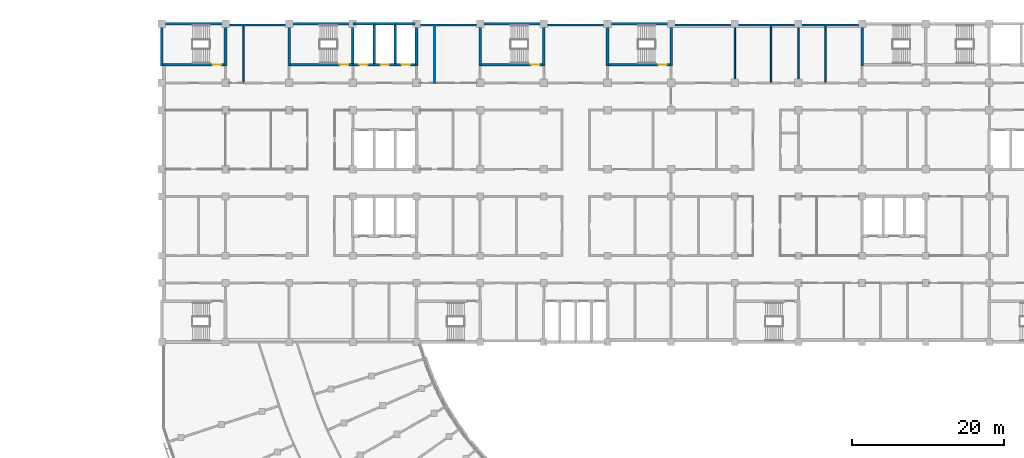
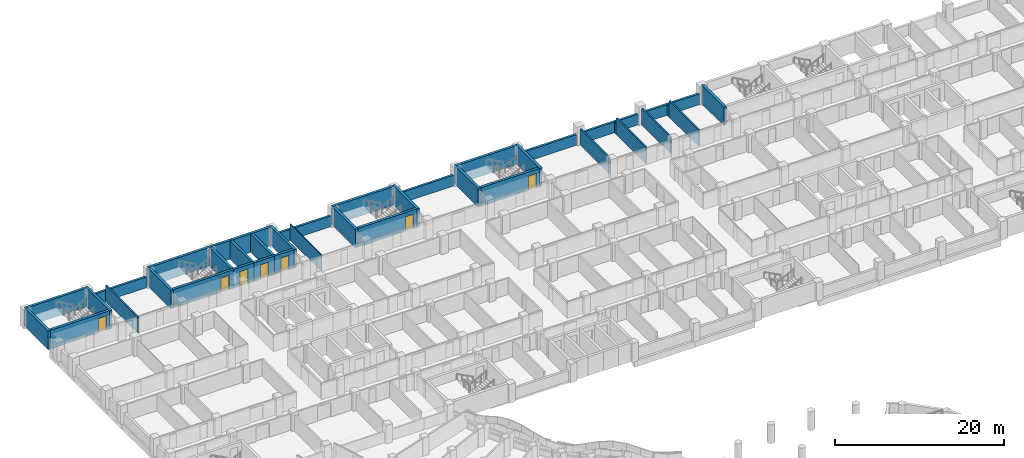
# One storey, part 61 of 89: 40 walls, 7 doors, 7 openings.
"""IFC4 building model written with IfcOpenShell, lengths in metres."""

from ifc_helpers import new_model, si_unit, direction, frame, frame_2d, origin, place, context, subcontext, project, spatial, rectangle, extrude, material, layer, layer_set, type_object, element, fill, save


model = new_model("IFC4")

# Units and contexts
model_context = context("Model", 3, precision=1e-05, world=origin(), true_north=direction((0.0, 1.0)))
body_context = subcontext(model_context, "Body", "Model", "MODEL_VIEW")
ifc_project = project(units=[si_unit("LENGTHUNIT", "METRE"), si_unit("AREAUNIT", "SQUARE_METRE"), si_unit("VOLUMEUNIT", "CUBIC_METRE"), si_unit("PLANEANGLEUNIT", "RADIAN"), si_unit("MASSUNIT", "GRAM", prefix="KILO")], contexts=[model_context])

# Site, building, storey
site_placement = place(None, origin())
site = spatial("IfcSite", under=ifc_project, at=site_placement, CompositionType="ELEMENT")
building_placement = place(site_placement, origin())
building = spatial("IfcBuilding", under=site, at=building_placement, Name="Bougainvillea Quay General Hospital", CompositionType="ELEMENT")
storey_placement = place(building_placement, frame((0.0, 0.0, 9.89990234375)))
storey = spatial("IfcBuildingStorey", under=building, at=storey_placement, Name="L01M", CompositionType="ELEMENT", Elevation=9.89990234375)

# Walls
ifc_material_1 = material(Name="Pale stone rainscreen cladding on insulated masonry backing, pale stone", Category="masonry")
ifc_layer_1 = layer(ifc_material_1, 0.300048828125)
ifc_layer_set_1 = layer_set([ifc_layer_1], Name="Pale stone rainscreen cladding on insulated masonry backing, pale stone")
wall_type_1 = type_object("IfcWallType", Name="External wall pale stone rainscreen 300", PredefinedType="STANDARD", material=ifc_layer_set_1)
for number, where, z_axis, x_axis, name in (
    (1, (133.949951171875, 159.449951171875, 0.0), (0.0, 0.0, 1.0), (-1.0, 0.0, 0.0), "External wall wall/V4/L01M/p0/05a"),
    (2, (125.550048828125, 159.449951171875, 0.0), (0.0, 0.0, 1.0), (-1.0, 0.0, 0.0), "External wall wall/V4/L01M/p0/05b"),
    (3, (117.14990234375, 159.449951171875, 0.0), (0.0, 0.0, 1.0), (-1.0, 0.0, 0.0), "External wall wall/V4/L01M/p0/05c"),
    (4, (100.35009765625, 159.449951171875, 0.0), (0.0, 0.0, 1.0), (-1.0, 0.0, 0.0), "External wall wall/V4/L01M/p0/05d"),
    (5, (83.550048828125, 159.449951171875, 0.0), (0.0, 0.0, 1.0), (-1.0, 0.0, 0.0), "External wall wall/V4/L01M/p0/05e"),
    (6, (58.35009765625, 159.449951171875, 0.0), (0.0, 0.0, 1.0), (-1.0, 0.0, 0.0), "External wall wall/V4/L01M/p0/09a"),
):
    element("IfcWall", number, at=place(storey_placement, frame(where, z_axis=z_axis, x_axis=x_axis)), inside=storey, type_object=wall_type_1, Name=name, PredefinedType="STANDARD", context=body_context, shape_type="SweptSolid", body=[
        extrude(rectangle(XDim=7.5, YDim=0.300048828125, at=frame_2d((3.75, 0.0))), origin(), (0.0, 0.0, 1.0), 1.550048828125),
    ])
ifc_material_2 = material(Name="Gypsum board partition on steel studs", Category="steel")
ifc_layer_2 = layer(ifc_material_2, 0.10009765625)
ifc_layer_set_2 = layer_set([ifc_layer_2], Name="Gypsum board partition on steel studs")
wall_type_2 = type_object("IfcWallType", Name="Partition 100 Gypsum board partition", PredefinedType="PARTITIONING", material=ifc_layer_set_2)
wall_1_placement = place(storey_placement, frame((77.998046875, 151.85009765625, 0.0), z_axis=(0.0, 0.0, 1.0), x_axis=(0.0, 1.0, 0.0)))
element("IfcWall", 7, at=wall_1_placement, inside=storey, type_object=wall_type_2, Name="Partition 100 mm", PredefinedType="PARTITIONING", context=body_context, shape_type="SweptSolid", body=[
    extrude(rectangle(XDim=7.449951171875, YDim=0.10009765625, at=frame_2d((3.72509765625, 0.0))), origin(), (0.0, 0.0, 1.0), 2.35009765625),
])
ifc_material_3 = material(Name="Fire-rated autoclaved aerated block wall, plastered")
ifc_layer_3 = layer(ifc_material_3, 0.199951171875)
ifc_layer_set_3 = layer_set([ifc_layer_3], Name="Fire-rated autoclaved aerated block wall, plastered")
wall_type_3 = type_object("IfcWallType", Name="Partition 200 Fire-rated autoclaved aerated block wall EI 120", PredefinedType="SOLIDWALL", material=ifc_layer_set_3)
wall_2_placement = place(storey_placement, frame((117.597900390625, 152.25, 0.0), z_axis=(0.0, 0.0, 1.0), x_axis=(0.0, 1.0, 0.0)))
element("IfcWall", 8, at=wall_2_placement, inside=storey, type_object=wall_type_3, Name="Partition 200 mm EI 120", PredefinedType="SOLIDWALL", context=body_context, shape_type="SweptSolid", body=[
    extrude(rectangle(XDim=6.89990234375, YDim=0.199951171875, at=frame_2d((3.449951171875, 0.0))), origin(), (0.0, 0.0, 1.0), 2.35009765625),
])
wall_3_placement = place(storey_placement, frame((122.39794921875, 151.89990234375, 0.0), z_axis=(0.0, 0.0, 1.0), x_axis=(0.0, 1.0, 0.0)))
element("IfcWall", 9, at=wall_3_placement, inside=storey, type_object=wall_type_3, Name="Partition 200 mm EI 120", PredefinedType="SOLIDWALL", context=body_context, shape_type="SweptSolid", body=[
    extrude(rectangle(XDim=7.0, YDim=0.199951171875, at=frame_2d((3.5, 0.0))), origin(), (0.0, 0.0, 1.0), 2.35009765625),
])
wall_4_placement = place(storey_placement, frame((122.39794921875, 158.89990234375, 0.0), z_axis=(0.0, 0.0, 1.0), x_axis=(0.0, 1.0, 0.0)))
element("IfcWall", 10, at=wall_4_placement, inside=storey, type_object=wall_type_3, Name="Partition 200 mm EI 120", PredefinedType="SOLIDWALL", context=body_context, shape_type="SweptSolid", body=[
    extrude(rectangle(XDim=0.400146484375, YDim=0.199951171875, at=frame_2d((0.2001953125, 0.0))), origin(), (0.0, 0.0, 1.0), 1.580078125),
])
wall_5_placement = place(storey_placement, frame((126.0, 152.25, 0.0), z_axis=(0.0, 0.0, 1.0), x_axis=(0.0, 1.0, 0.0)))
element("IfcWall", 11, at=wall_5_placement, inside=storey, type_object=wall_type_3, Name="Partition 200 mm EI 120", PredefinedType="SOLIDWALL", context=body_context, shape_type="SweptSolid", body=[
    extrude(rectangle(XDim=6.89990234375, YDim=0.199951171875, at=frame_2d((3.449951171875, 0.0))), origin(), (0.0, 0.0, 1.0), 2.35009765625),
])
wall_6_placement = place(storey_placement, frame((129.60009765625, 151.89990234375, 0.0), z_axis=(0.0, 0.0, 1.0), x_axis=(0.0, 1.0, 0.0)))
element("IfcWall", 12, at=wall_6_placement, inside=storey, type_object=wall_type_3, Name="Partition 200 mm EI 120", PredefinedType="SOLIDWALL", context=body_context, shape_type="SweptSolid", body=[
    extrude(rectangle(XDim=7.0, YDim=0.199951171875, at=frame_2d((3.5, 0.0))), origin(), (0.0, 0.0, 1.0), 2.35009765625),
])
wall_7_placement = place(storey_placement, frame((129.60009765625, 158.89990234375, 0.0), z_axis=(0.0, 0.0, 1.0), x_axis=(0.0, 1.0, 0.0)))
element("IfcWall", 13, at=wall_7_placement, inside=storey, type_object=wall_type_3, Name="Partition 200 mm EI 120", PredefinedType="SOLIDWALL", context=body_context, shape_type="SweptSolid", body=[
    extrude(rectangle(XDim=0.400146484375, YDim=0.199951171875, at=frame_2d((0.2001953125, 0.0))), origin(), (0.0, 0.0, 1.0), 1.580078125),
])
ifc_layer_4 = layer(ifc_material_3, 0.199951171875)
ifc_layer_set_4 = layer_set([ifc_layer_4], Name="Fire-rated autoclaved aerated block wall, plastered")
wall_type_4 = type_object("IfcWallType", Name="Partition 200 Fire-rated autoclaved aerated block wall EI 60", PredefinedType="SOLIDWALL", material=ifc_layer_set_4)
wall_8_placement = place(storey_placement, frame((52.798095703125, 151.699951171875, 0.0), z_axis=(0.0, 0.0, 1.0), x_axis=(0.0, 1.0, 0.0)))
element("IfcWall", 14, at=wall_8_placement, inside=storey, type_object=wall_type_4, Name="Partition 200 mm EI 60", PredefinedType="SOLIDWALL", context=body_context, shape_type="SweptSolid", body=[
    extrude(rectangle(XDim=7.60009765625, YDim=0.199951171875, at=frame_2d((3.800048828125, 0.0))), origin(), (0.0, 0.0, 1.0), 2.35009765625),
])
ifc_material_4 = material(Name="Concrete C40", Category="concrete")
ifc_layer_5 = layer(ifc_material_4, 0.35009765625)
ifc_layer_set_5 = layer_set([ifc_layer_5], Name="Concrete C40")
wall_type_5 = type_object("IfcWallType", Name="RC SHEAR WALL 350 C40", PredefinedType="SHEAR", material=ifc_layer_set_5)
wall_9_placement = place(storey_placement, frame((41.824951171875, 159.60009765625, 0.0), z_axis=(0.0, 0.0, 1.0), x_axis=(1.0, 0.0, 0.0)))
element("IfcWall", 15, at=wall_9_placement, inside=storey, type_object=wall_type_5, Name="Shear wall L01M", PredefinedType="SHEAR", context=body_context, shape_type="SweptSolid", body=[
    extrude(rectangle(XDim=8.400146484375, YDim=0.35009765625, at=frame_2d((4.2001953125, 0.0))), origin(), (0.0, 0.0, 1.0), 2.7001953125),
])
wall_10_placement = place(storey_placement, frame((42.0, 154.02490234375, 0.0), z_axis=(0.0, 0.0, 1.0), x_axis=(0.0, 1.0, 0.0)))
element("IfcWall", 16, at=wall_10_placement, inside=storey, type_object=wall_type_5, Name="Shear wall L01M", PredefinedType="SHEAR", context=body_context, shape_type="SweptSolid", body=[
    extrude(rectangle(XDim=5.400146484375, YDim=0.35009765625, at=frame_2d((2.7001953125, 0.0))), origin(), (0.0, 0.0, 1.0), 2.7001953125),
])

# Wall, opening, door
wall_11_placement = place(storey_placement, frame((42.175048828125, 154.199951171875, 0.0), z_axis=(0.0, 0.0, 1.0), x_axis=(1.0, 0.0, 0.0)))
wall_11 = element("IfcWall", 17, at=wall_11_placement, inside=storey, type_object=wall_type_5, Name="Shear wall L01M", PredefinedType="SHEAR", context=body_context, shape_type="SweptSolid", body=[
    extrude(rectangle(XDim=8.050048828125, YDim=0.35009765625, at=frame_2d((4.02490234375, 0.0))), origin(), (0.0, 0.0, 1.0), 2.7001953125),
])
opening_1_placement = place(wall_11_placement, frame((6.52490234375, 0.0, 0.0)))
opening_1 = element("IfcOpeningElement", 18, at=opening_1_placement, cuts=wall_11, Name="Opening L01M.017", PredefinedType="OPENING", context=body_context, shape_type="SweptSolid", body=[
    extrude(rectangle(XDim=1.10009765625, YDim=2.10009765625, at=frame_2d((0.550048828125, 1.050048828125))), frame((0.0, 0.18505859375, 0.0), z_axis=(0.0, -1.0, 0.0), x_axis=(1.0, 0.0, 0.0)), (0.0, 0.0, 1.0), 0.3701171875),
])
ifc_material_5 = material(Name="Steel fire door leaf in steel frame", Category="steel")
door_type_1 = type_object("IfcDoorType", Name="Steel single leaf door 1100x2100 FD60", OperationType="NOTDEFINED", PredefinedType="DOOR", material=ifc_material_5)
door_1_placement = place(opening_1_placement, origin())
door_1 = element("IfcDoor", 19, at=door_1_placement, inside=storey, type_object=door_type_1, Name="DT04 L01M.017", OperationType="SINGLE_SWING_RIGHT", OverallHeight=2.10009765625, OverallWidth=1.10009765625, PredefinedType="DOOR", context=body_context, shape_type="SweptSolid", body=[
    extrude(rectangle(XDim=1.10009765625, YDim=2.10009765625, at=frame_2d((0.550048828125, 1.050048828125))), frame((0.0, 0.02490234375, 0.0), z_axis=(0.0, -1.0, 0.0), x_axis=(1.0, 0.0, 0.0)), (0.0, 0.0, 1.0), 0.050048828125),
])
fill(opening_1, door_1)

# Walls
wall_12_placement = place(storey_placement, frame((50.39990234375, 154.02490234375, 0.0), z_axis=(0.0, 0.0, 1.0), x_axis=(0.0, 1.0, 0.0)))
element("IfcWall", 20, at=wall_12_placement, inside=storey, type_object=wall_type_5, Name="Shear wall L01M", PredefinedType="SHEAR", context=body_context, shape_type="SweptSolid", body=[
    extrude(rectangle(XDim=5.75, YDim=0.35009765625, at=frame_2d((2.875, 0.0))), origin(), (0.0, 0.0, 1.0), 2.7001953125),
])
wall_13_placement = place(storey_placement, frame((58.625, 159.60009765625, 0.0), z_axis=(0.0, 0.0, 1.0), x_axis=(1.0, 0.0, 0.0)))
element("IfcWall", 21, at=wall_13_placement, inside=storey, type_object=wall_type_5, Name="Shear wall L01M", PredefinedType="SHEAR", context=body_context, shape_type="SweptSolid", body=[
    extrude(rectangle(XDim=8.574951171875, YDim=0.35009765625, at=frame_2d((4.28759765625, 0.0))), origin(), (0.0, 0.0, 1.0), 2.7001953125),
])
wall_14_placement = place(storey_placement, frame((58.800048828125, 154.02490234375, 0.0), z_axis=(0.0, 0.0, 1.0), x_axis=(0.0, 1.0, 0.0)))
element("IfcWall", 22, at=wall_14_placement, inside=storey, type_object=wall_type_5, Name="Shear wall L01M", PredefinedType="SHEAR", context=body_context, shape_type="SweptSolid", body=[
    extrude(rectangle(XDim=5.400146484375, YDim=0.35009765625, at=frame_2d((2.7001953125, 0.0))), origin(), (0.0, 0.0, 1.0), 2.7001953125),
])

# Wall, opening, door
wall_15_placement = place(storey_placement, frame((58.97509765625, 154.199951171875, 0.0), z_axis=(0.0, 0.0, 1.0), x_axis=(1.0, 0.0, 0.0)))
wall_15 = element("IfcWall", 23, at=wall_15_placement, inside=storey, type_object=wall_type_5, Name="Shear wall L01M", PredefinedType="SHEAR", context=body_context, shape_type="SweptSolid", body=[
    extrude(rectangle(XDim=8.224853515625, YDim=0.35009765625, at=frame_2d((4.1123046875, 0.0))), origin(), (0.0, 0.0, 1.0), 2.7001953125),
])
opening_2_placement = place(wall_15_placement, frame((6.52490234375, 0.0, 0.0)))
opening_2 = element("IfcOpeningElement", 24, at=opening_2_placement, cuts=wall_15, Name="Opening L01M.025", PredefinedType="OPENING", context=body_context, shape_type="SweptSolid", body=[
    extrude(rectangle(XDim=1.10009765625, YDim=2.10009765625, at=frame_2d((0.550048828125, 1.050048828125))), frame((0.0, 0.18505859375, 0.0), z_axis=(0.0, -1.0, 0.0), x_axis=(1.0, 0.0, 0.0)), (0.0, 0.0, 1.0), 0.3701171875),
])
door_2_placement = place(opening_2_placement, origin())
door_2 = element("IfcDoor", 25, at=door_2_placement, inside=storey, type_object=door_type_1, Name="DT04 L01M.025", OperationType="SINGLE_SWING_RIGHT", OverallHeight=2.10009765625, OverallWidth=1.10009765625, PredefinedType="DOOR", context=body_context, shape_type="SweptSolid", body=[
    extrude(rectangle(XDim=1.10009765625, YDim=2.10009765625, at=frame_2d((0.550048828125, 1.050048828125))), frame((0.0, 0.02490234375, 0.0), z_axis=(0.0, -1.0, 0.0), x_axis=(1.0, 0.0, 0.0)), (0.0, 0.0, 1.0), 0.050048828125),
])
fill(opening_2, door_2)

wall_16_placement = place(storey_placement, frame((67.199951171875, 154.199951171875, 0.0), z_axis=(0.0, 0.0, 1.0), x_axis=(1.0, 0.0, 0.0)))
wall_16 = element("IfcWall", 26, at=wall_16_placement, inside=storey, type_object=wall_type_5, Name="Shear wall L01M", PredefinedType="SHEAR", context=body_context, shape_type="SweptSolid", body=[
    extrude(rectangle(XDim=2.800048828125, YDim=0.35009765625, at=frame_2d((1.39990234375, 0.0))), origin(), (0.0, 0.0, 1.0), 2.7001953125),
])
opening_3_placement = place(wall_16_placement, frame((0.85009765625, 0.0, 0.0)))
opening_3 = element("IfcOpeningElement", 27, at=opening_3_placement, cuts=wall_16, Name="Opening LD-G1.1-L01M", PredefinedType="OPENING", context=body_context, shape_type="SweptSolid", body=[
    extrude(rectangle(XDim=1.10009765625, YDim=2.10009765625, at=frame_2d((0.550048828125, 1.050048828125))), frame((0.0, 0.18505859375, 0.0), z_axis=(0.0, -1.0, 0.0), x_axis=(1.0, 0.0, 0.0)), (0.0, 0.0, 1.0), 0.3701171875),
])
ifc_material_6 = material(Name="Stainless steel centre-opening landing door", Category="steel")
door_type_2 = type_object("IfcDoorType", Name="Lift landing door 1100x2100 E 120", OperationType="DOUBLE_DOOR_SLIDING", PredefinedType="DOOR", material=ifc_material_6)
door_3_placement = place(opening_3_placement, origin())
door_3 = element("IfcDoor", 28, at=door_3_placement, inside=storey, type_object=door_type_2, Name="Lift landing door LB-G1-1 L01M", OperationType="DOUBLE_DOOR_SLIDING", OverallHeight=2.10009765625, OverallWidth=1.10009765625, PredefinedType="DOOR", context=body_context, shape_type="SweptSolid", body=[
    extrude(rectangle(XDim=1.10009765625, YDim=2.10009765625, at=frame_2d((0.550048828125, 1.050048828125))), frame((0.0, 0.02490234375, 0.0), z_axis=(0.0, -1.0, 0.0), x_axis=(1.0, 0.0, 0.0)), (0.0, 0.0, 1.0), 0.050048828125),
])
fill(opening_3, door_3)

# Walls
wall_17_placement = place(storey_placement, frame((67.199951171875, 154.375, 0.0), z_axis=(0.0, 0.0, 1.0), x_axis=(0.0, 1.0, 0.0)))
element("IfcWall", 29, at=wall_17_placement, inside=storey, type_object=wall_type_5, Name="Shear wall L01M", PredefinedType="SHEAR", context=body_context, shape_type="SweptSolid", body=[
    extrude(rectangle(XDim=5.050048828125, YDim=0.35009765625, at=frame_2d((2.52490234375, 0.0))), origin(), (0.0, 0.0, 1.0), 2.7001953125),
])
wall_18_placement = place(storey_placement, frame((67.199951171875, 159.60009765625, 0.0), z_axis=(0.0, 0.0, 1.0), x_axis=(1.0, 0.0, 0.0)))
element("IfcWall", 30, at=wall_18_placement, inside=storey, type_object=wall_type_5, Name="Shear wall L01M", PredefinedType="SHEAR", context=body_context, shape_type="SweptSolid", body=[
    extrude(rectangle(XDim=2.800048828125, YDim=0.35009765625, at=frame_2d((1.39990234375, 0.0))), origin(), (0.0, 0.0, 1.0), 2.7001953125),
])

# Wall, opening, door
wall_19_placement = place(storey_placement, frame((70.0, 154.199951171875, 0.0), z_axis=(0.0, 0.0, 1.0), x_axis=(1.0, 0.0, 0.0)))
wall_19 = element("IfcWall", 31, at=wall_19_placement, inside=storey, type_object=wall_type_5, Name="Shear wall L01M", PredefinedType="SHEAR", context=body_context, shape_type="SweptSolid", body=[
    extrude(rectangle(XDim=2.800048828125, YDim=0.35009765625, at=frame_2d((1.39990234375, 0.0))), origin(), (0.0, 0.0, 1.0), 2.7001953125),
])
opening_4_placement = place(wall_19_placement, frame((0.85009765625, 0.0, 0.0)))
opening_4 = element("IfcOpeningElement", 32, at=opening_4_placement, cuts=wall_19, Name="Opening LD-G1.2-L01M", PredefinedType="OPENING", context=body_context, shape_type="SweptSolid", body=[
    extrude(rectangle(XDim=1.10009765625, YDim=2.10009765625, at=frame_2d((0.550048828125, 1.050048828125))), frame((0.0, 0.18505859375, 0.0), z_axis=(0.0, -1.0, 0.0), x_axis=(1.0, 0.0, 0.0)), (0.0, 0.0, 1.0), 0.3701171875),
])
door_4_placement = place(opening_4_placement, origin())
door_4 = element("IfcDoor", 33, at=door_4_placement, inside=storey, type_object=door_type_2, Name="Lift landing door LB-G1-2 L01M", OperationType="DOUBLE_DOOR_SLIDING", OverallHeight=2.10009765625, OverallWidth=1.10009765625, PredefinedType="DOOR", context=body_context, shape_type="SweptSolid", body=[
    extrude(rectangle(XDim=1.10009765625, YDim=2.10009765625, at=frame_2d((0.550048828125, 1.050048828125))), frame((0.0, 0.02490234375, 0.0), z_axis=(0.0, -1.0, 0.0), x_axis=(1.0, 0.0, 0.0)), (0.0, 0.0, 1.0), 0.050048828125),
])
fill(opening_4, door_4)

# Walls
wall_20_placement = place(storey_placement, frame((70.0, 154.375, 0.0), z_axis=(0.0, 0.0, 1.0), x_axis=(0.0, 1.0, 0.0)))
element("IfcWall", 34, at=wall_20_placement, inside=storey, type_object=wall_type_5, Name="Shear wall L01M", PredefinedType="SHEAR", context=body_context, shape_type="SweptSolid", body=[
    extrude(rectangle(XDim=5.050048828125, YDim=0.35009765625, at=frame_2d((2.52490234375, 0.0))), origin(), (0.0, 0.0, 1.0), 2.7001953125),
])
wall_21_placement = place(storey_placement, frame((70.0, 159.60009765625, 0.0), z_axis=(0.0, 0.0, 1.0), x_axis=(1.0, 0.0, 0.0)))
element("IfcWall", 35, at=wall_21_placement, inside=storey, type_object=wall_type_5, Name="Shear wall L01M", PredefinedType="SHEAR", context=body_context, shape_type="SweptSolid", body=[
    extrude(rectangle(XDim=2.800048828125, YDim=0.35009765625, at=frame_2d((1.39990234375, 0.0))), origin(), (0.0, 0.0, 1.0), 2.7001953125),
])

# Wall, opening, door
wall_22_placement = place(storey_placement, frame((72.800048828125, 154.199951171875, 0.0), z_axis=(0.0, 0.0, 1.0), x_axis=(1.0, 0.0, 0.0)))
wall_22 = element("IfcWall", 36, at=wall_22_placement, inside=storey, type_object=wall_type_5, Name="Shear wall L01M", PredefinedType="SHEAR", context=body_context, shape_type="SweptSolid", body=[
    extrude(rectangle(XDim=2.625, YDim=0.35009765625, at=frame_2d((1.3125, 0.0))), origin(), (0.0, 0.0, 1.0), 2.7001953125),
])
opening_5_placement = place(wall_22_placement, frame((0.85009765625, 0.0, 0.0)))
opening_5 = element("IfcOpeningElement", 37, at=opening_5_placement, cuts=wall_22, Name="Opening LD-G1.3-L01M", PredefinedType="OPENING", context=body_context, shape_type="SweptSolid", body=[
    extrude(rectangle(XDim=1.10009765625, YDim=2.10009765625, at=frame_2d((0.550048828125, 1.050048828125))), frame((0.0, 0.18505859375, 0.0), z_axis=(0.0, -1.0, 0.0), x_axis=(1.0, 0.0, 0.0)), (0.0, 0.0, 1.0), 0.3701171875),
])
door_5_placement = place(opening_5_placement, origin())
door_5 = element("IfcDoor", 38, at=door_5_placement, inside=storey, type_object=door_type_2, Name="Lift landing door LB-G1-3 L01M", OperationType="DOUBLE_DOOR_SLIDING", OverallHeight=2.10009765625, OverallWidth=1.10009765625, PredefinedType="DOOR", context=body_context, shape_type="SweptSolid", body=[
    extrude(rectangle(XDim=1.10009765625, YDim=2.10009765625, at=frame_2d((0.550048828125, 1.050048828125))), frame((0.0, 0.02490234375, 0.0), z_axis=(0.0, -1.0, 0.0), x_axis=(1.0, 0.0, 0.0)), (0.0, 0.0, 1.0), 0.050048828125),
])
fill(opening_5, door_5)

# Walls
wall_23_placement = place(storey_placement, frame((72.800048828125, 154.375, 0.0), z_axis=(0.0, 0.0, 1.0), x_axis=(0.0, 1.0, 0.0)))
element("IfcWall", 39, at=wall_23_placement, inside=storey, type_object=wall_type_5, Name="Shear wall L01M", PredefinedType="SHEAR", context=body_context, shape_type="SweptSolid", body=[
    extrude(rectangle(XDim=5.050048828125, YDim=0.35009765625, at=frame_2d((2.52490234375, 0.0))), origin(), (0.0, 0.0, 1.0), 2.7001953125),
])
wall_24_placement = place(storey_placement, frame((72.800048828125, 159.60009765625, 0.0), z_axis=(0.0, 0.0, 1.0), x_axis=(1.0, 0.0, 0.0)))
element("IfcWall", 40, at=wall_24_placement, inside=storey, type_object=wall_type_5, Name="Shear wall L01M", PredefinedType="SHEAR", context=body_context, shape_type="SweptSolid", body=[
    extrude(rectangle(XDim=2.625, YDim=0.35009765625, at=frame_2d((1.3125, 0.0))), origin(), (0.0, 0.0, 1.0), 2.7001953125),
])
wall_25_placement = place(storey_placement, frame((75.60009765625, 154.02490234375, 0.0), z_axis=(0.0, 0.0, 1.0), x_axis=(0.0, 1.0, 0.0)))
element("IfcWall", 41, at=wall_25_placement, inside=storey, type_object=wall_type_5, Name="Shear wall L01M", PredefinedType="SHEAR", context=body_context, shape_type="SweptSolid", body=[
    extrude(rectangle(XDim=5.75, YDim=0.35009765625, at=frame_2d((2.875, 0.0))), origin(), (0.0, 0.0, 1.0), 2.7001953125),
])
wall_26_placement = place(storey_placement, frame((83.824951171875, 159.60009765625, 0.0), z_axis=(0.0, 0.0, 1.0), x_axis=(1.0, 0.0, 0.0)))
element("IfcWall", 42, at=wall_26_placement, inside=storey, type_object=wall_type_5, Name="Shear wall L01M", PredefinedType="SHEAR", context=body_context, shape_type="SweptSolid", body=[
    extrude(rectangle(XDim=8.400146484375, YDim=0.35009765625, at=frame_2d((4.2001953125, 0.0))), origin(), (0.0, 0.0, 1.0), 2.7001953125),
])
wall_27_placement = place(storey_placement, frame((84.0, 154.02490234375, 0.0), z_axis=(0.0, 0.0, 1.0), x_axis=(0.0, 1.0, 0.0)))
element("IfcWall", 43, at=wall_27_placement, inside=storey, type_object=wall_type_5, Name="Shear wall L01M", PredefinedType="SHEAR", context=body_context, shape_type="SweptSolid", body=[
    extrude(rectangle(XDim=5.400146484375, YDim=0.35009765625, at=frame_2d((2.7001953125, 0.0))), origin(), (0.0, 0.0, 1.0), 2.7001953125),
])

# Wall, opening, door
wall_28_placement = place(storey_placement, frame((84.175048828125, 154.199951171875, 0.0), z_axis=(0.0, 0.0, 1.0), x_axis=(1.0, 0.0, 0.0)))
wall_28 = element("IfcWall", 44, at=wall_28_placement, inside=storey, type_object=wall_type_5, Name="Shear wall L01M", PredefinedType="SHEAR", context=body_context, shape_type="SweptSolid", body=[
    extrude(rectangle(XDim=8.050048828125, YDim=0.35009765625, at=frame_2d((4.02490234375, 0.0))), origin(), (0.0, 0.0, 1.0), 2.7001953125),
])
opening_6_placement = place(wall_28_placement, frame((6.52490234375, 0.0, 0.0)))
opening_6 = element("IfcOpeningElement", 45, at=opening_6_placement, cuts=wall_28, Name="Opening L01M.018", PredefinedType="OPENING", context=body_context, shape_type="SweptSolid", body=[
    extrude(rectangle(XDim=1.10009765625, YDim=2.10009765625, at=frame_2d((0.550048828125, 1.050048828125))), frame((0.0, 0.18505859375, 0.0), z_axis=(0.0, -1.0, 0.0), x_axis=(1.0, 0.0, 0.0)), (0.0, 0.0, 1.0), 0.3701171875),
])
door_6_placement = place(opening_6_placement, origin())
door_6 = element("IfcDoor", 46, at=door_6_placement, inside=storey, type_object=door_type_1, Name="DT04 L01M.018", OperationType="SINGLE_SWING_RIGHT", OverallHeight=2.10009765625, OverallWidth=1.10009765625, PredefinedType="DOOR", context=body_context, shape_type="SweptSolid", body=[
    extrude(rectangle(XDim=1.10009765625, YDim=2.10009765625, at=frame_2d((0.550048828125, 1.050048828125))), frame((0.0, 0.02490234375, 0.0), z_axis=(0.0, -1.0, 0.0), x_axis=(1.0, 0.0, 0.0)), (0.0, 0.0, 1.0), 0.050048828125),
])
fill(opening_6, door_6)

# Walls
wall_29_placement = place(storey_placement, frame((92.39990234375, 154.02490234375, 0.0), z_axis=(0.0, 0.0, 1.0), x_axis=(0.0, 1.0, 0.0)))
element("IfcWall", 47, at=wall_29_placement, inside=storey, type_object=wall_type_5, Name="Shear wall L01M", PredefinedType="SHEAR", context=body_context, shape_type="SweptSolid", body=[
    extrude(rectangle(XDim=5.75, YDim=0.35009765625, at=frame_2d((2.875, 0.0))), origin(), (0.0, 0.0, 1.0), 2.7001953125),
])
wall_30_placement = place(storey_placement, frame((100.625, 159.60009765625, 0.0), z_axis=(0.0, 0.0, 1.0), x_axis=(1.0, 0.0, 0.0)))
element("IfcWall", 48, at=wall_30_placement, inside=storey, type_object=wall_type_5, Name="Shear wall L01M", PredefinedType="SHEAR", context=body_context, shape_type="SweptSolid", body=[
    extrude(rectangle(XDim=8.39990234375, YDim=0.35009765625, at=frame_2d((4.199951171875, 0.0))), origin(), (0.0, 0.0, 1.0), 2.7001953125),
])
wall_31_placement = place(storey_placement, frame((100.800048828125, 154.02490234375, 0.0), z_axis=(0.0, 0.0, 1.0), x_axis=(0.0, 1.0, 0.0)))
element("IfcWall", 49, at=wall_31_placement, inside=storey, type_object=wall_type_5, Name="Shear wall L01M", PredefinedType="SHEAR", context=body_context, shape_type="SweptSolid", body=[
    extrude(rectangle(XDim=5.400146484375, YDim=0.35009765625, at=frame_2d((2.7001953125, 0.0))), origin(), (0.0, 0.0, 1.0), 2.7001953125),
])

# Wall, opening, door
wall_32_placement = place(storey_placement, frame((100.97509765625, 154.199951171875, 0.0), z_axis=(0.0, 0.0, 1.0), x_axis=(1.0, 0.0, 0.0)))
wall_32 = element("IfcWall", 50, at=wall_32_placement, inside=storey, type_object=wall_type_5, Name="Shear wall L01M", PredefinedType="SHEAR", context=body_context, shape_type="SweptSolid", body=[
    extrude(rectangle(XDim=8.0498046875, YDim=0.35009765625, at=frame_2d((4.02490234375, 0.0))), origin(), (0.0, 0.0, 1.0), 2.7001953125),
])
opening_7_placement = place(wall_32_placement, frame((6.52490234375, 0.0, 0.0)))
opening_7 = element("IfcOpeningElement", 51, at=opening_7_placement, cuts=wall_32, Name="Opening L01M.026", PredefinedType="OPENING", context=body_context, shape_type="SweptSolid", body=[
    extrude(rectangle(XDim=1.10009765625, YDim=2.10009765625, at=frame_2d((0.550048828125, 1.050048828125))), frame((0.0, 0.18505859375, 0.0), z_axis=(0.0, -1.0, 0.0), x_axis=(1.0, 0.0, 0.0)), (0.0, 0.0, 1.0), 0.3701171875),
])
door_7_placement = place(opening_7_placement, origin())
door_7 = element("IfcDoor", 52, at=door_7_placement, inside=storey, type_object=door_type_1, Name="DT04 L01M.026", OperationType="SINGLE_SWING_RIGHT", OverallHeight=2.10009765625, OverallWidth=1.10009765625, PredefinedType="DOOR", context=body_context, shape_type="SweptSolid", body=[
    extrude(rectangle(XDim=1.10009765625, YDim=2.10009765625, at=frame_2d((0.550048828125, 1.050048828125))), frame((0.0, 0.02490234375, 0.0), z_axis=(0.0, -1.0, 0.0), x_axis=(1.0, 0.0, 0.0)), (0.0, 0.0, 1.0), 0.050048828125),
])
fill(opening_7, door_7)

# Walls
wall_33_placement = place(storey_placement, frame((109.199951171875, 154.02490234375, 0.0), z_axis=(0.0, 0.0, 1.0), x_axis=(0.0, 1.0, 0.0)))
element("IfcWall", 53, at=wall_33_placement, inside=storey, type_object=wall_type_5, Name="Shear wall L01M", PredefinedType="SHEAR", context=body_context, shape_type="SweptSolid", body=[
    extrude(rectangle(XDim=5.75, YDim=0.35009765625, at=frame_2d((2.875, 0.0))), origin(), (0.0, 0.0, 1.0), 2.7001953125),
])
wall_34_placement = place(storey_placement, frame((134.39990234375, 154.02490234375, 0.0), z_axis=(0.0, 0.0, 1.0), x_axis=(0.0, 1.0, 0.0)))
element("IfcWall", 54, at=wall_34_placement, inside=storey, type_object=wall_type_5, Name="Shear wall L01M", PredefinedType="SHEAR", context=body_context, shape_type="SweptSolid", body=[
    extrude(rectangle(XDim=5.400146484375, YDim=0.35009765625, at=frame_2d((2.7001953125, 0.0))), origin(), (0.0, 0.0, 1.0), 2.7001953125),
])

save(model, "model.ifc")
